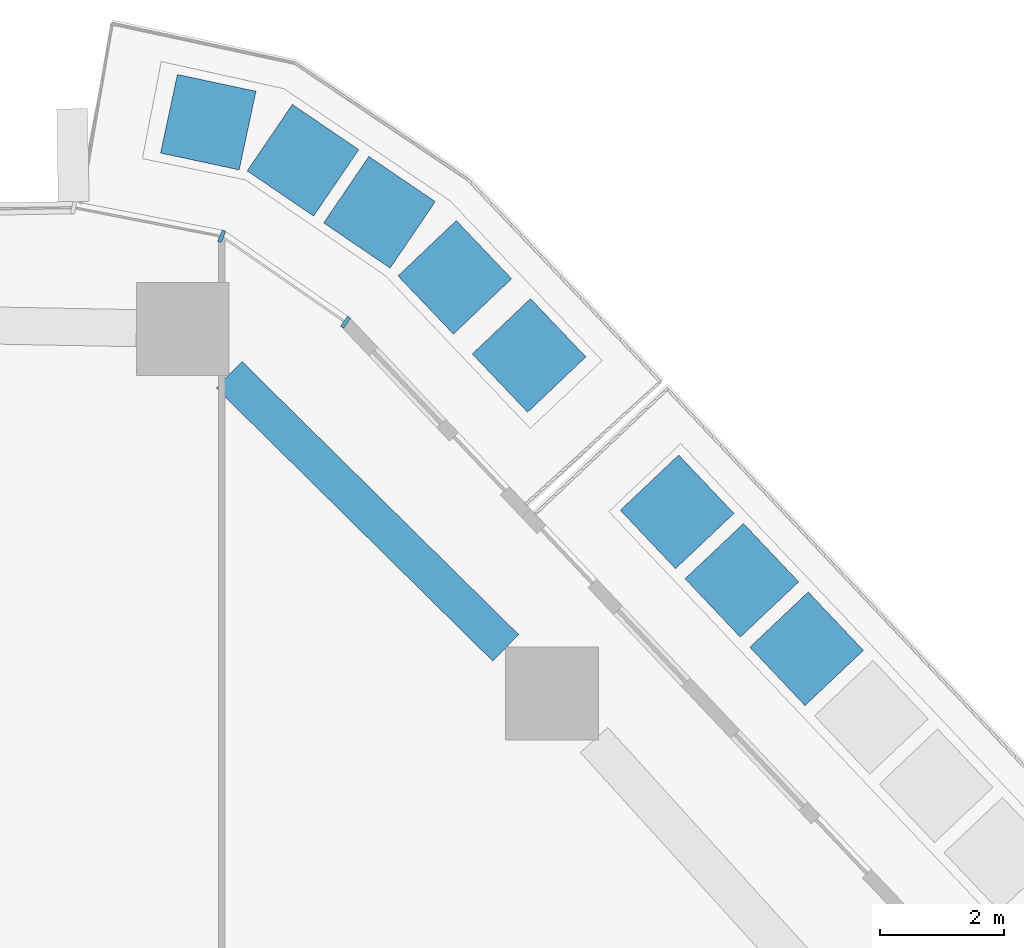
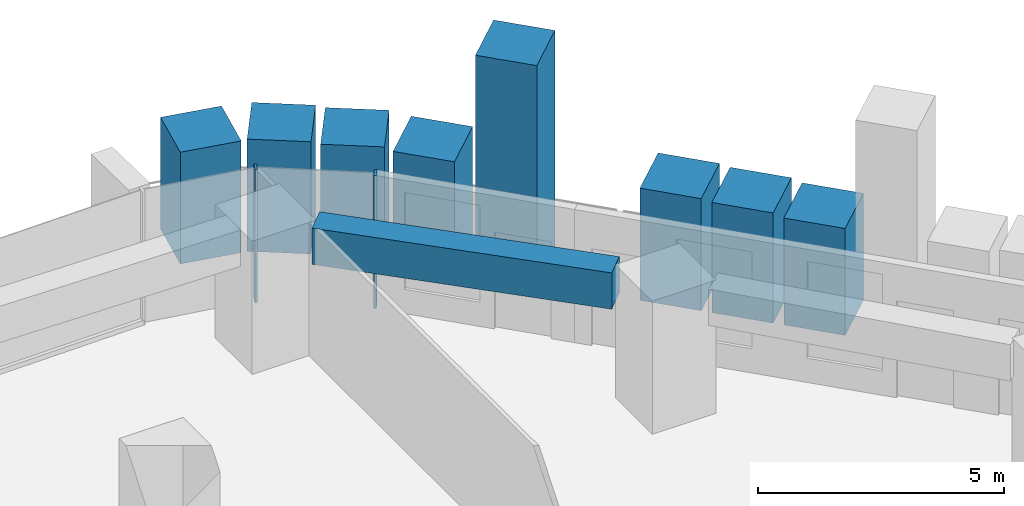
# One storey, part 10 of 25: 10 members, 1 beam, 1 element without a shape of its own.
"""IFC4 building model written with IfcOpenShell, lengths in metres."""

from ifc_helpers import new_model, si_unit, direction, frame, origin, origin_2d, place, context, subcontext, project, spatial, rectangle, extrude, material, layer, layer_set, material_profile, profile_set, type_object, element, aggregate, save


model = new_model("IFC4")

# Units and contexts
model_context = context("Model", 3, precision=1e-05, world=origin(), true_north=direction((0.0, 1.0)))
body_context = subcontext(model_context, "Body", "Model", "MODEL_VIEW")
ifc_project = project(units=[si_unit("LENGTHUNIT", "METRE"), si_unit("AREAUNIT", "SQUARE_METRE"), si_unit("VOLUMEUNIT", "CUBIC_METRE"), si_unit("PLANEANGLEUNIT", "RADIAN"), si_unit("MASSUNIT", "GRAM", prefix="KILO")], contexts=[model_context])

# Site, building, storey
site_placement = place(None, origin())
site = spatial("IfcSite", under=ifc_project, at=site_placement, CompositionType="ELEMENT")
building_placement = place(site_placement, origin())
building = spatial("IfcBuilding", under=site, at=building_placement, Name="Dongbaek Canopy Tower", CompositionType="ELEMENT")
storey_placement = place(building_placement, frame((0.0, 0.0, 81.0)))
storey = spatial("IfcBuildingStorey", under=building, at=storey_placement, Name="L16", CompositionType="ELEMENT", Elevation=81.0)

# Curtain wall, members
ifc_material_1 = material(Name="Aluminium 6063-T6 pale anodised", Category="aluminium")
ifc_layer = layer(ifc_material_1, 0.199951171875)
ifc_layer_set = layer_set([ifc_layer], Name="CW-1 unitised tower curtain wall")
curtain_wall_type = type_object("IfcCurtainWallType", Name="CW-1 unitised tower curtain wall", PredefinedType="NOTDEFINED", material=ifc_layer_set)
curtain_wall_placement = place(storey_placement, origin())
curtain_wall = element("IfcCurtainWall", 1, at=curtain_wall_placement, inside=storey, type_object=curtain_wall_type, Name="CW-1 curtain wall K1.1", PredefinedType="NOTDEFINED")
ifc_material_2 = material(Name="Aluminium 6063-T6 pale anodised", Category="aluminium")
ifc_material_profile_1 = material_profile(ifc_material_2, rectangle(XDim=0.199951171875, YDim=0.06005859375, at=origin_2d()), Name="CW-1 mullion 60 x 200")
ifc_profile_set_1 = profile_set([ifc_material_profile_1], Name="Aluminium 6063-T6 pale anodised")
member_type_1 = type_object("IfcMemberType", Name="CW-1 mullion 60 x 200", PredefinedType="MULLION", material=ifc_profile_set_1)
member_1_placement = place(storey_placement, frame((17.465087890625, 33.30419921875, 0.0), z_axis=(0.0, 0.0, 1.0), x_axis=(0.56969426372, 0.821856706418, 0.0)))
member_1 = element("IfcMember", 2, at=member_1_placement, type_object=member_type_1, Name="CW-1 mullion K1.1.1", PredefinedType="MULLION", context=body_context, shape_type="SweptSolid", body=[
    extrude(rectangle(XDim=0.199951171875, YDim=0.06005859375, at=origin_2d()), origin(), (0.0, 0.0, 1.0), 3.300048828125),
])
member_2_placement = place(storey_placement, frame((15.4609375, 34.693359375, 0.0), z_axis=(0.0, 0.0, 1.0), x_axis=(0.388341217386, 0.921515653084, 0.0)))
member_2 = element("IfcMember", 3, at=member_2_placement, type_object=member_type_1, Name="CW-1 mullion K1.1.2", PredefinedType="MULLION", context=body_context, shape_type="SweptSolid", body=[
    extrude(rectangle(XDim=0.199951171875, YDim=0.06005859375, at=origin_2d()), origin(), (0.0, 0.0, 1.0), 3.300048828125),
])
aggregate(curtain_wall, [member_1, member_2])

# Beam
ifc_material_3 = material(Name="Concrete C80", Category="concrete")
ifc_material_profile_2 = material_profile(ifc_material_3, rectangle(XDim=0.60009765625, YDim=0.89990234375, at=origin_2d()), Name="RC EDGE BEAM 600x900 C80")
ifc_profile_set_2 = profile_set([ifc_material_profile_2], Name="Concrete C80")
beam_type = type_object("IfcBeamType", Name="RC EDGE BEAM 600x900 C80", PredefinedType="BEAM", material=ifc_profile_set_2)
beam_placement = place(storey_placement, frame((15.580078125, 32.453857421875, 2.85009765625), z_axis=(0.711712436236, -0.702470930435, 0.0), x_axis=(0.702470930435, 0.711712436236, 0.0)))
element("IfcBeam", 4, at=beam_placement, inside=storey, type_object=beam_type, Name="EDGEBEAM:L16:17", PredefinedType="BEAM", context=body_context, shape_type="SweptSolid", body=[
    extrude(rectangle(XDim=0.60009765625, YDim=0.89990234375, at=origin_2d()), origin(), (0.0, 0.0, 1.0), 6.287353515625),
])

# Members
ifc_material_4 = material(Name="Concrete C40/50 planter mass with planting", Category="concrete")
ifc_material_profile_3 = material_profile(ifc_material_4, rectangle(XDim=1.300048828125, YDim=1.300048828125, at=origin_2d()), Name="Terrace PLANTER shrub mass 1300 x 1300")
ifc_profile_set_3 = profile_set([ifc_material_profile_3], Name="Concrete C40/50 planter mass with planting")
member_type_2 = type_object("IfcMemberType", Name="Terrace PLANTER shrub mass 1300 x 1300", PredefinedType="USERDEFINED", material=ifc_profile_set_3)
member_3_placement = place(storey_placement, frame((24.9228515625, 28.021484375, 0.419921875), z_axis=(0.0, 0.0, 1.0), x_axis=(0.72665252709, 0.687005170923, 0.0)))
element("IfcMember", 5, at=member_3_placement, inside=storey, type_object=member_type_2, Name="Planter shrubs L16 1.8", ObjectType="PLANTER", PredefinedType="USERDEFINED", context=body_context, shape_type="SweptSolid", body=[
    extrude(rectangle(XDim=1.300048828125, YDim=1.300048828125, at=origin_2d()), origin(), (0.0, 0.0, 1.0), 2.650146484375),
])
member_4_placement = place(storey_placement, frame((23.87548828125, 29.12939453125, 0.419921875), z_axis=(0.0, 0.0, 1.0), x_axis=(0.72665252709, 0.687005170923, 0.0)))
element("IfcMember", 6, at=member_4_placement, inside=storey, type_object=member_type_2, Name="Planter shrubs L16 1.9", ObjectType="PLANTER", PredefinedType="USERDEFINED", context=body_context, shape_type="SweptSolid", body=[
    extrude(rectangle(XDim=1.300048828125, YDim=1.300048828125, at=origin_2d()), origin(), (0.0, 0.0, 1.0), 2.72998046875),
])
member_5_placement = place(storey_placement, frame((22.828125, 30.237060546875, 0.419921875), z_axis=(0.0, 0.0, 1.0), x_axis=(0.72665252709, 0.687005170923, 0.0)))
element("IfcMember", 7, at=member_5_placement, inside=storey, type_object=member_type_2, Name="Planter shrubs L16 1.10", ObjectType="PLANTER", PredefinedType="USERDEFINED", context=body_context, shape_type="SweptSolid", body=[
    extrude(rectangle(XDim=1.300048828125, YDim=1.300048828125, at=origin_2d()), origin(), (0.0, 0.0, 1.0), 2.780029296875),
])
member_6_placement = place(storey_placement, frame((20.43310546875, 32.76708984375, 0.419921875), z_axis=(0.0, 0.0, 1.0), x_axis=(0.724862672868, 0.688893391957, 0.0)))
element("IfcMember", 8, at=member_6_placement, inside=storey, type_object=member_type_2, Name="Planter tree L16 5.1", ObjectType="PLANTER", PredefinedType="USERDEFINED", context=body_context, shape_type="SweptSolid", body=[
    extrude(rectangle(XDim=1.300048828125, YDim=1.300048828125, at=origin_2d()), origin(), (0.0, 0.0, 1.0), 5.380126953125),
])
member_7_placement = place(storey_placement, frame((19.232177734375, 34.030517578125, 0.419921875), z_axis=(0.0, 0.0, 1.0), x_axis=(0.724862672868, 0.688893391957, 0.0)))
element("IfcMember", 9, at=member_7_placement, inside=storey, type_object=member_type_2, Name="Planter shrubs L16 5.2", ObjectType="PLANTER", PredefinedType="USERDEFINED", context=body_context, shape_type="SweptSolid", body=[
    extrude(rectangle(XDim=1.300048828125, YDim=1.300048828125, at=origin_2d()), origin(), (0.0, 0.0, 1.0), 2.650146484375),
])
member_8_placement = place(storey_placement, frame((18.01318359375, 35.0830078125, 0.419921875), z_axis=(0.0, 0.0, 1.0), x_axis=(0.562224934452, 0.826984354798, 0.0)))
element("IfcMember", 10, at=member_8_placement, inside=storey, type_object=member_type_2, Name="Planter shrubs L16 5.3", ObjectType="PLANTER", PredefinedType="USERDEFINED", context=body_context, shape_type="SweptSolid", body=[
    extrude(rectangle(XDim=1.300048828125, YDim=1.300048828125, at=origin_2d()), origin(), (0.0, 0.0, 1.0), 2.72998046875),
])
member_9_placement = place(storey_placement, frame((16.775634765625, 35.92431640625, 0.419921875), z_axis=(0.0, 0.0, 1.0), x_axis=(0.562224934452, 0.826984354798, 0.0)))
element("IfcMember", 11, at=member_9_placement, inside=storey, type_object=member_type_2, Name="Planter shrubs L16 5.4", ObjectType="PLANTER", PredefinedType="USERDEFINED", context=body_context, shape_type="SweptSolid", body=[
    extrude(rectangle(XDim=1.300048828125, YDim=1.300048828125, at=origin_2d()), origin(), (0.0, 0.0, 1.0), 2.780029296875),
])
member_10_placement = place(storey_placement, frame((15.24365234375, 36.54052734375, 0.419921875), z_axis=(0.0, 0.0, 1.0), x_axis=(0.209338951626, 0.977843138408, 0.0)))
element("IfcMember", 12, at=member_10_placement, inside=storey, type_object=member_type_2, Name="Planter shrubs L16 5.5", ObjectType="PLANTER", PredefinedType="USERDEFINED", context=body_context, shape_type="SweptSolid", body=[
    extrude(rectangle(XDim=1.300048828125, YDim=1.300048828125, at=origin_2d()), origin(), (0.0, 0.0, 1.0), 2.77001953125),
])

save(model, "model.ifc")
